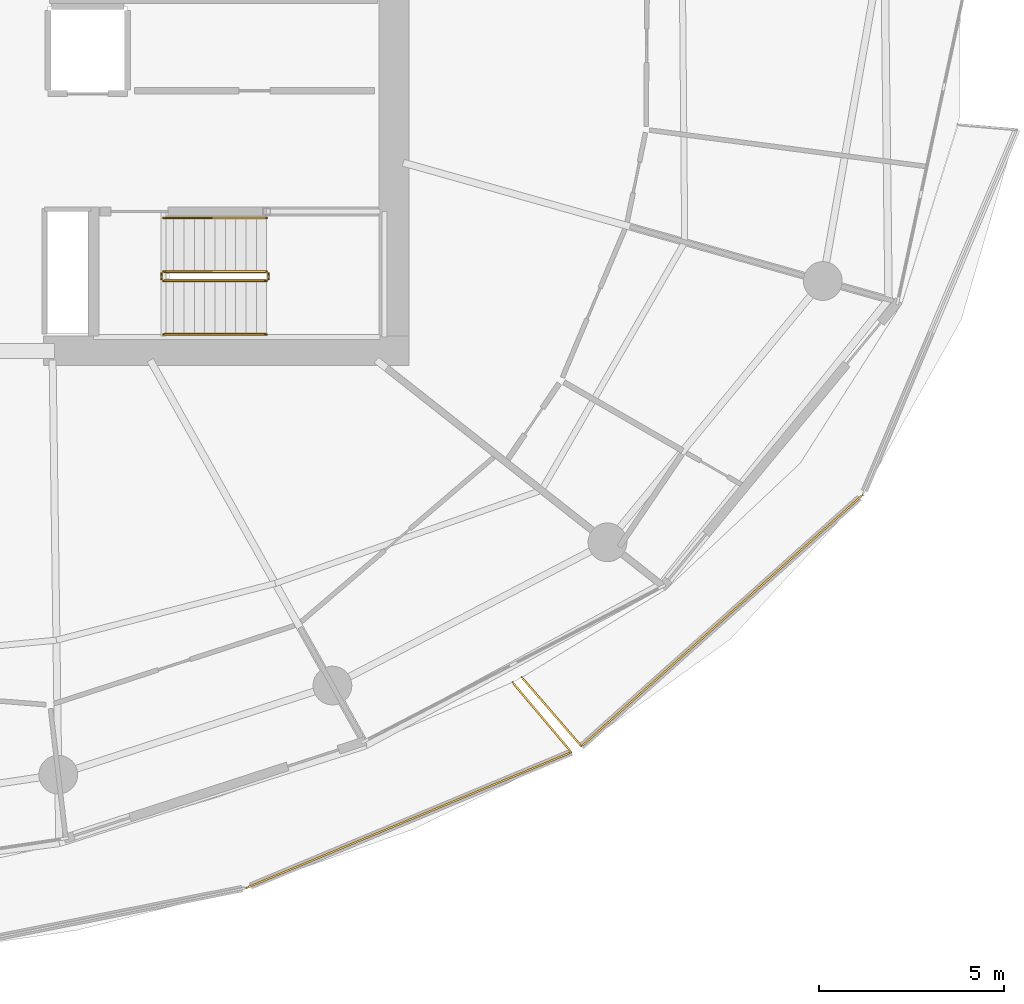
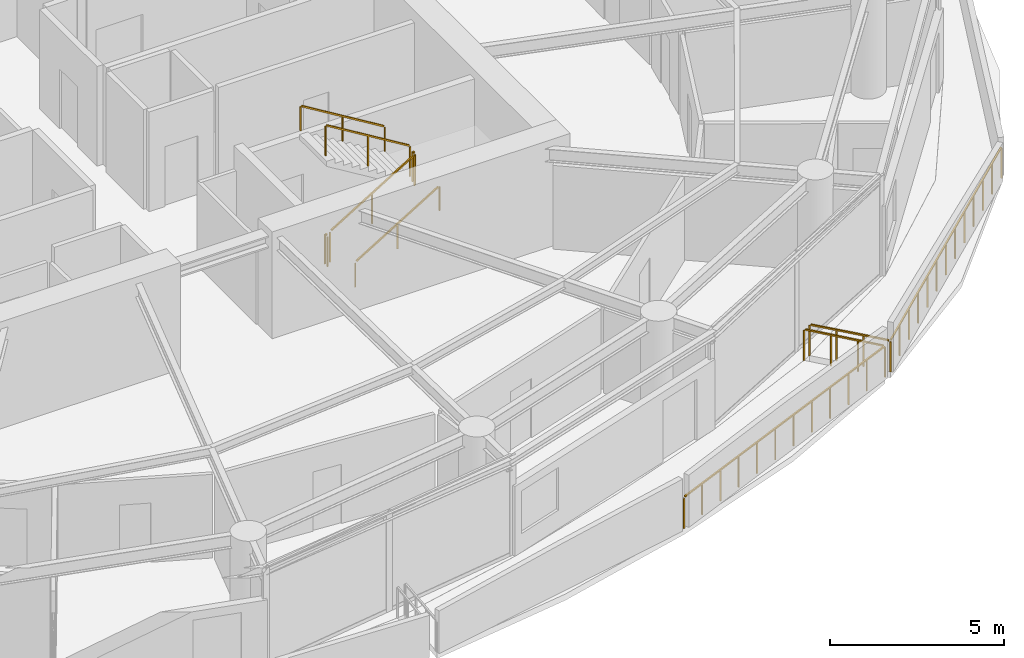
# One storey, part 18 of 20: 10 railings.
"""IFC4 building model written with IfcOpenShell, lengths in metres."""

from ifc_helpers import new_model, si_unit, direction, frame, origin, origin_2d, place, context, subcontext, project, spatial, rectangle, extrude, material, type_object, element, save


model = new_model("IFC4")

# Units and contexts
model_context = context("Model", 3, precision=1e-05, world=origin(), true_north=direction((0.0, 1.0)))
body_context = subcontext(model_context, "Body", "Model", "MODEL_VIEW")
ifc_project = project(units=[si_unit("LENGTHUNIT", "METRE"), si_unit("AREAUNIT", "SQUARE_METRE"), si_unit("VOLUMEUNIT", "CUBIC_METRE"), si_unit("PLANEANGLEUNIT", "RADIAN"), si_unit("MASSUNIT", "GRAM", prefix="KILO")], contexts=[model_context])

# Site, building, storey
site_placement = place(None, origin())
site = spatial("IfcSite", under=ifc_project, at=site_placement, CompositionType="ELEMENT")
building_placement = place(site_placement, origin())
building = spatial("IfcBuilding", under=site, at=building_placement, Name="Kazma Halo Residences", CompositionType="ELEMENT")
storey_placement = place(building_placement, frame((0.0, 0.0, 135.300048828125)))
storey = spatial("IfcBuildingStorey", under=building, at=storey_placement, Name="L33", CompositionType="ELEMENT", Elevation=135.300048828125)

# Railings
ifc_material_1 = material(Name="Aluminium AW-6063 T6 Brushed Cap Rail", Category="aluminium")
railing_type_1 = type_object("IfcRailingType", Name="RLG-BAL-CAP-1120", PredefinedType="BALUSTRADE", material=ifc_material_1)
railing_1_placement = place(storey_placement, frame((55.455810546875, 19.052978515625, 0.0)))
element("IfcRailing", 1, at=railing_1_placement, inside=storey, type_object=railing_type_1, Name="L33 SSE wave balcony guard 3", PredefinedType="BALUSTRADE", context=body_context, shape_type="SweptSolid", body=[
    extrude(rectangle(XDim=0.050048828125, YDim=0.050048828125, at=origin_2d()), frame((0.039306640625, 0.016357421875, 1.09521484375), z_axis=(0.922922375507, 0.384986089084, 0.0), x_axis=(-0.384986089084, 0.922922375507, 0.0)), (0.0, 0.0, 1.0), 9.453857421875),
    extrude(rectangle(XDim=0.0400390625, YDim=0.0400390625, at=origin_2d()), origin(), (0.0, 0.0, 1.0), 1.05810546875),
    extrude(rectangle(XDim=0.0400390625, YDim=0.0400390625, at=origin_2d()), frame((0.80029296875, 0.333740234375, 0.0)), (0.0, 0.0, 1.0), 1.05810546875),
    extrude(rectangle(XDim=0.0400390625, YDim=0.0400390625, at=origin_2d()), frame((1.6005859375, 0.667724609375, 0.0)), (0.0, 0.0, 1.0), 1.05810546875),
    extrude(rectangle(XDim=0.0400390625, YDim=0.0400390625, at=origin_2d()), frame((2.401123046875, 1.00146484375, 0.0)), (0.0, 0.0, 1.0), 1.05810546875),
    extrude(rectangle(XDim=0.0400390625, YDim=0.0400390625, at=origin_2d()), frame((3.201416015625, 1.33544921875, 0.0)), (0.0, 0.0, 1.0), 1.05810546875),
    extrude(rectangle(XDim=0.0400390625, YDim=0.0400390625, at=origin_2d()), frame((4.001708984375, 1.669189453125, 0.0)), (0.0, 0.0, 1.0), 1.05810546875),
    extrude(rectangle(XDim=0.0400390625, YDim=0.0400390625, at=origin_2d()), frame((4.802001953125, 2.003173828125, 0.0)), (0.0, 0.0, 1.0), 1.05810546875),
    extrude(rectangle(XDim=0.0400390625, YDim=0.0400390625, at=origin_2d()), frame((5.602294921875, 2.3369140625, 0.0)), (0.0, 0.0, 1.0), 1.05810546875),
    extrude(rectangle(XDim=0.0400390625, YDim=0.0400390625, at=origin_2d()), frame((6.402587890625, 2.6708984375, 0.0)), (0.0, 0.0, 1.0), 1.05810546875),
    extrude(rectangle(XDim=0.0400390625, YDim=0.0400390625, at=origin_2d()), frame((7.203125, 3.004638671875, 0.0)), (0.0, 0.0, 1.0), 1.05810546875),
    extrude(rectangle(XDim=0.0400390625, YDim=0.0400390625, at=origin_2d()), frame((8.00341796875, 3.338623046875, 0.0)), (0.0, 0.0, 1.0), 1.05810546875),
    extrude(rectangle(XDim=0.0400390625, YDim=0.0400390625, at=origin_2d()), frame((8.8037109375, 3.67236328125, 0.0)), (0.0, 0.0, 1.0), 1.05810546875),
])
railing_2_placement = place(storey_placement, frame((64.259521484375, 22.725341796875, 0.0)))
element("IfcRailing", 2, at=railing_2_placement, inside=storey, type_object=railing_type_1, Name="L33 SSE wave balcony guard 4", PredefinedType="BALUSTRADE", context=body_context, shape_type="SweptSolid", body=[
    extrude(rectangle(XDim=0.050048828125, YDim=0.050048828125, at=origin_2d()), frame((-0.02734375, 0.032470703125, 1.09521484375), z_axis=(-0.644793629606, 0.764356706793, 0.0), x_axis=(-0.764356706793, -0.644793629606, 0.0)), (0.0, 0.0, 1.0), 2.393798828125),
    extrude(rectangle(XDim=0.0400390625, YDim=0.0400390625, at=origin_2d()), origin(), (0.0, 0.0, 1.0), 1.05810546875),
    extrude(rectangle(XDim=0.0400390625, YDim=0.0400390625, at=origin_2d()), frame((-0.53271484375, 0.631591796875, 0.0)), (0.0, 0.0, 1.0), 1.05810546875),
    extrude(rectangle(XDim=0.0400390625, YDim=0.0400390625, at=origin_2d()), frame((-1.065673828125, 1.26318359375, 0.0)), (0.0, 0.0, 1.0), 1.05810546875),
    extrude(rectangle(XDim=0.0400390625, YDim=0.0400390625, at=origin_2d()), frame((-1.598388671875, 1.894775390625, 0.0)), (0.0, 0.0, 1.0), 1.05810546875),
])
railing_3_placement = place(storey_placement, frame((62.91455078125, 24.751953125, 0.0)))
element("IfcRailing", 3, at=railing_3_placement, inside=storey, type_object=railing_type_1, Name="L33 SE wave balcony guard 1", PredefinedType="BALUSTRADE", context=body_context, shape_type="SweptSolid", body=[
    extrude(rectangle(XDim=0.050048828125, YDim=0.050048828125, at=origin_2d()), frame((0.02783203125, -0.0322265625, 1.09521484375), z_axis=(0.654041873085, -0.756458345351, 0.0), x_axis=(0.756458345351, 0.654041873085, 0.0)), (0.0, 0.0, 1.0), 2.384521484375),
    extrude(rectangle(XDim=0.0400390625, YDim=0.0400390625, at=origin_2d()), origin(), (0.0, 0.0, 1.0), 1.05810546875),
    extrude(rectangle(XDim=0.0400390625, YDim=0.0400390625, at=origin_2d()), frame((0.538330078125, -0.622802734375, 0.0)), (0.0, 0.0, 1.0), 1.05810546875),
    extrude(rectangle(XDim=0.0400390625, YDim=0.0400390625, at=origin_2d()), frame((1.076904296875, -1.245361328125, 0.0)), (0.0, 0.0, 1.0), 1.05810546875),
    extrude(rectangle(XDim=0.0400390625, YDim=0.0400390625, at=origin_2d()), frame((1.615234375, -1.8681640625, 0.0)), (0.0, 0.0, 1.0), 1.05810546875),
])
railing_4_placement = place(storey_placement, frame((64.52978515625, 22.8837890625, 0.0)))
element("IfcRailing", 4, at=railing_4_placement, inside=storey, type_object=railing_type_1, Name="L33 SE wave balcony guard 2", PredefinedType="BALUSTRADE", context=body_context, shape_type="SweptSolid", body=[
    extrude(rectangle(XDim=0.050048828125, YDim=0.050048828125, at=origin_2d()), frame((0.03173828125, 0.0283203125, 1.09521484375), z_axis=(0.745534876129, 0.666466614675, 0.0), x_axis=(-0.666466614675, 0.745534876129, 0.0)), (0.0, 0.0, 1.0), 10.13525390625),
    extrude(rectangle(XDim=0.0400390625, YDim=0.0400390625, at=origin_2d()), origin(), (0.0, 0.0, 1.0), 1.05810546875),
    extrude(rectangle(XDim=0.0400390625, YDim=0.0400390625, at=origin_2d()), frame((0.635009765625, 0.567626953125, 0.0)), (0.0, 0.0, 1.0), 1.05810546875),
    extrude(rectangle(XDim=0.0400390625, YDim=0.0400390625, at=origin_2d()), frame((1.27001953125, 1.13525390625, 0.0)), (0.0, 0.0, 1.0), 1.05810546875),
    extrude(rectangle(XDim=0.0400390625, YDim=0.0400390625, at=origin_2d()), frame((1.90478515625, 1.702880859375, 0.0)), (0.0, 0.0, 1.0), 1.05810546875),
    extrude(rectangle(XDim=0.0400390625, YDim=0.0400390625, at=origin_2d()), frame((2.539794921875, 2.2705078125, 0.0)), (0.0, 0.0, 1.0), 1.05810546875),
    extrude(rectangle(XDim=0.0400390625, YDim=0.0400390625, at=origin_2d()), frame((3.1748046875, 2.838134765625, 0.0)), (0.0, 0.0, 1.0), 1.05810546875),
    extrude(rectangle(XDim=0.0400390625, YDim=0.0400390625, at=origin_2d()), frame((3.809814453125, 3.40576171875, 0.0)), (0.0, 0.0, 1.0), 1.05810546875),
    extrude(rectangle(XDim=0.0400390625, YDim=0.0400390625, at=origin_2d()), frame((4.44482421875, 3.973388671875, 0.0)), (0.0, 0.0, 1.0), 1.05810546875),
    extrude(rectangle(XDim=0.0400390625, YDim=0.0400390625, at=origin_2d()), frame((5.079833984375, 4.541015625, 0.0)), (0.0, 0.0, 1.0), 1.05810546875),
    extrude(rectangle(XDim=0.0400390625, YDim=0.0400390625, at=origin_2d()), frame((5.71484375, 5.108642578125, 0.0)), (0.0, 0.0, 1.0), 1.05810546875),
    extrude(rectangle(XDim=0.0400390625, YDim=0.0400390625, at=origin_2d()), frame((6.349609375, 5.67626953125, 0.0)), (0.0, 0.0, 1.0), 1.05810546875),
    extrude(rectangle(XDim=0.0400390625, YDim=0.0400390625, at=origin_2d()), frame((6.984619140625, 6.243896484375, 0.0)), (0.0, 0.0, 1.0), 1.05810546875),
    extrude(rectangle(XDim=0.0400390625, YDim=0.0400390625, at=origin_2d()), frame((7.61962890625, 6.8115234375, 0.0)), (0.0, 0.0, 1.0), 1.05810546875),
])
ifc_material_2 = material(Name="Painted Steel S355", Category="steel")
railing_type_2 = type_object("IfcRailingType", Name="RLG-STAIR-GRD-1100", PredefinedType="GUARDRAIL", material=ifc_material_2)
railing_5_placement = place(storey_placement, frame((53.199951171875, 35.5, 0.17041015625)))
element("IfcRailing", 5, at=railing_5_placement, inside=storey, type_object=railing_type_2, Name="L33 ST-03 stair guard 1", PredefinedType="GUARDRAIL", context=body_context, shape_type="SweptSolid", body=[
    extrude(rectangle(XDim=0.050048828125, YDim=0.050048828125, at=origin_2d()), frame((0.036376953125, 0.0, 1.09716796875), z_axis=(0.854169791009, 0.0, 0.51999420009), x_axis=(0.0, 1.0, 0.0)), (0.0, 0.0, 1.0), 3.193115234375),
    extrude(rectangle(XDim=0.0400390625, YDim=0.0400390625, at=origin_2d()), origin(), (0.0, 0.0, 1.0), 1.0380859375),
    extrude(rectangle(XDim=0.0400390625, YDim=0.0400390625, at=origin_2d()), frame((1.39990234375, 0.0, 0.852294921875)), (0.0, 0.0, 1.0), 1.0380859375),
    extrude(rectangle(XDim=0.0400390625, YDim=0.0400390625, at=origin_2d()), frame((2.800048828125, 0.0, 1.70458984375)), (0.0, 0.0, 1.0), 1.0380859375),
])
railing_6_placement = place(storey_placement, frame((56.050048828125, 35.550048828125, 1.875)))
element("IfcRailing", 6, at=railing_6_placement, inside=storey, type_object=railing_type_2, Name="L33 ST-03 stair guard 2", PredefinedType="GUARDRAIL", context=body_context, shape_type="SweptSolid", body=[
    extrude(rectangle(XDim=0.050048828125, YDim=0.050048828125, at=origin_2d()), frame((0.0, 0.04248046875, 1.0751953125), z_axis=(0.0, 1.0, 0.0), x_axis=(-1.0, 0.0, 0.0)), (0.0, 0.0, 1.0), 0.06494140625),
    extrude(rectangle(XDim=0.0400390625, YDim=0.0400390625, at=origin_2d()), origin(), (0.0, 0.0, 1.0), 1.0380859375),
    extrude(rectangle(XDim=0.0400390625, YDim=0.0400390625, at=origin_2d()), frame((0.0, 0.14990234375, 0.0)), (0.0, 0.0, 1.0), 1.0380859375),
])
railing_7_placement = place(storey_placement, frame((56.0, 35.75, 2.04541015625)))
element("IfcRailing", 7, at=railing_7_placement, inside=storey, type_object=railing_type_2, Name="L33 ST-03 stair guard 3", PredefinedType="GUARDRAIL", context=body_context, shape_type="SweptSolid", body=[
    extrude(rectangle(XDim=0.050048828125, YDim=0.050048828125, at=origin_2d()), frame((-0.036376953125, 0.0, 1.09716796875), z_axis=(-0.854169791009, 0.0, 0.51999420009), x_axis=(0.0, -1.0, 0.0)), (0.0, 0.0, 1.0), 3.193115234375),
    extrude(rectangle(XDim=0.0400390625, YDim=0.0400390625, at=origin_2d()), origin(), (0.0, 0.0, 1.0), 1.0380859375),
    extrude(rectangle(XDim=0.0400390625, YDim=0.0400390625, at=origin_2d()), frame((-1.39990234375, 0.0, 0.852294921875)), (0.0, 0.0, 1.0), 1.0380859375),
    extrude(rectangle(XDim=0.0400390625, YDim=0.0400390625, at=origin_2d()), frame((-2.800048828125, 0.0, 1.70458984375)), (0.0, 0.0, 1.0), 1.0380859375),
])
railing_8_placement = place(storey_placement, frame((53.14990234375, 35.550048828125, 0.0)))
element("IfcRailing", 8, at=railing_8_placement, inside=storey, type_object=railing_type_2, Name="L33 ST-03 stair guard 4", PredefinedType="GUARDRAIL", context=body_context, shape_type="SweptSolid", body=[
    extrude(rectangle(XDim=0.050048828125, YDim=0.050048828125, at=origin_2d()), frame((0.0, 0.04248046875, 1.0751953125), z_axis=(0.0, 1.0, 0.0), x_axis=(-1.0, 0.0, 0.0)), (0.0, 0.0, 1.0), 0.06494140625),
    extrude(rectangle(XDim=0.0400390625, YDim=0.0400390625, at=origin_2d()), origin(), (0.0, 0.0, 1.0), 1.0380859375),
    extrude(rectangle(XDim=0.0400390625, YDim=0.0400390625, at=origin_2d()), frame((0.0, 0.14990234375, 0.0)), (0.0, 0.0, 1.0), 1.0380859375),
])
ifc_material_3 = material(Name="Brushed Stainless Steel", Category="steel")
railing_type_3 = type_object("IfcRailingType", Name="RLG-STAIR-HND-900", PredefinedType="HANDRAIL", material=ifc_material_3)
railing_9_placement = place(storey_placement, frame((53.199951171875, 34.050048828125, 0.17041015625)))
element("IfcRailing", 9, at=railing_9_placement, inside=storey, type_object=railing_type_3, Name="L33 ST-03 stair handrail 1", PredefinedType="HANDRAIL", context=body_context, shape_type="SweptSolid", body=[
    extrude(rectangle(XDim=0.050048828125, YDim=0.050048828125, at=origin_2d()), frame((0.036376953125, 0.0, 0.89697265625), z_axis=(0.854169791009, 0.0, 0.51999420009), x_axis=(0.0, 1.0, 0.0)), (0.0, 0.0, 1.0), 3.193115234375),
    extrude(rectangle(XDim=0.0400390625, YDim=0.0400390625, at=origin_2d()), origin(), (0.0, 0.0, 1.0), 0.837890625),
    extrude(rectangle(XDim=0.0400390625, YDim=0.0400390625, at=origin_2d()), frame((1.39990234375, 0.0, 0.852294921875)), (0.0, 0.0, 1.0), 0.837890625),
    extrude(rectangle(XDim=0.0400390625, YDim=0.0400390625, at=origin_2d()), frame((2.800048828125, 0.0, 1.70458984375)), (0.0, 0.0, 1.0), 0.837890625),
])
railing_10_placement = place(storey_placement, frame((56.0, 37.199951171875, 2.04541015625)))
element("IfcRailing", 10, at=railing_10_placement, inside=storey, type_object=railing_type_3, Name="L33 ST-03 stair handrail 2", PredefinedType="HANDRAIL", context=body_context, shape_type="SweptSolid", body=[
    extrude(rectangle(XDim=0.050048828125, YDim=0.050048828125, at=origin_2d()), frame((-0.036376953125, 0.0, 0.89697265625), z_axis=(-0.854169791009, 0.0, 0.51999420009), x_axis=(0.0, -1.0, 0.0)), (0.0, 0.0, 1.0), 3.193115234375),
    extrude(rectangle(XDim=0.0400390625, YDim=0.0400390625, at=origin_2d()), origin(), (0.0, 0.0, 1.0), 0.837890625),
    extrude(rectangle(XDim=0.0400390625, YDim=0.0400390625, at=origin_2d()), frame((-1.39990234375, 0.0, 0.852294921875)), (0.0, 0.0, 1.0), 0.837890625),
    extrude(rectangle(XDim=0.0400390625, YDim=0.0400390625, at=origin_2d()), frame((-2.800048828125, 0.0, 1.70458984375)), (0.0, 0.0, 1.0), 0.837890625),
])

save(model, "model.ifc")
